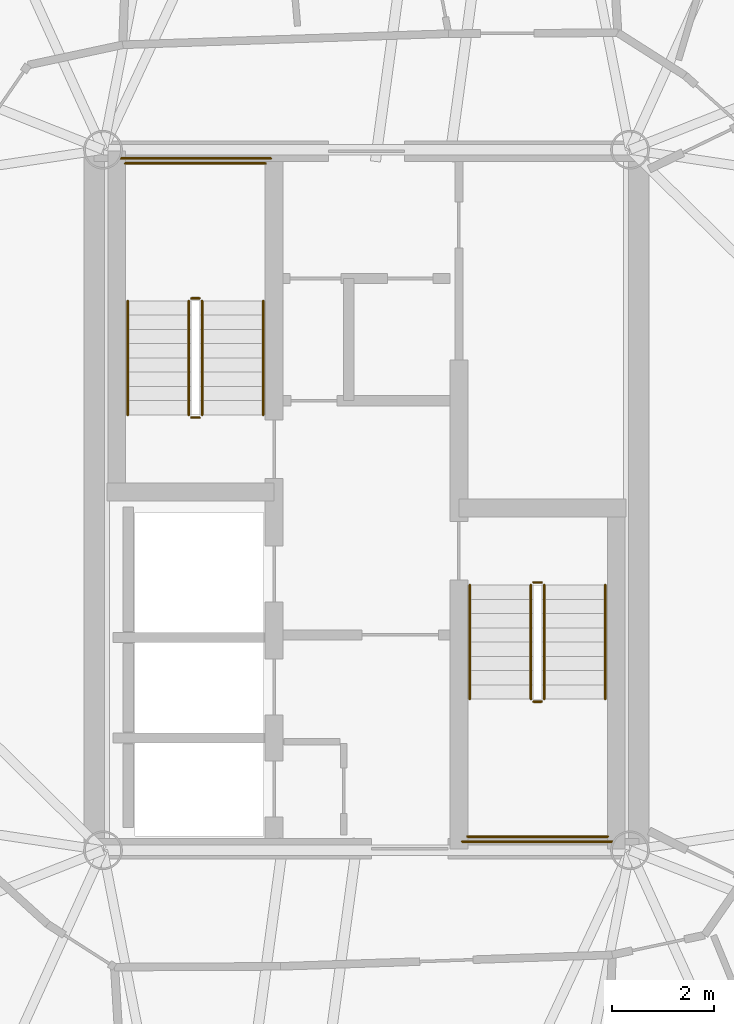
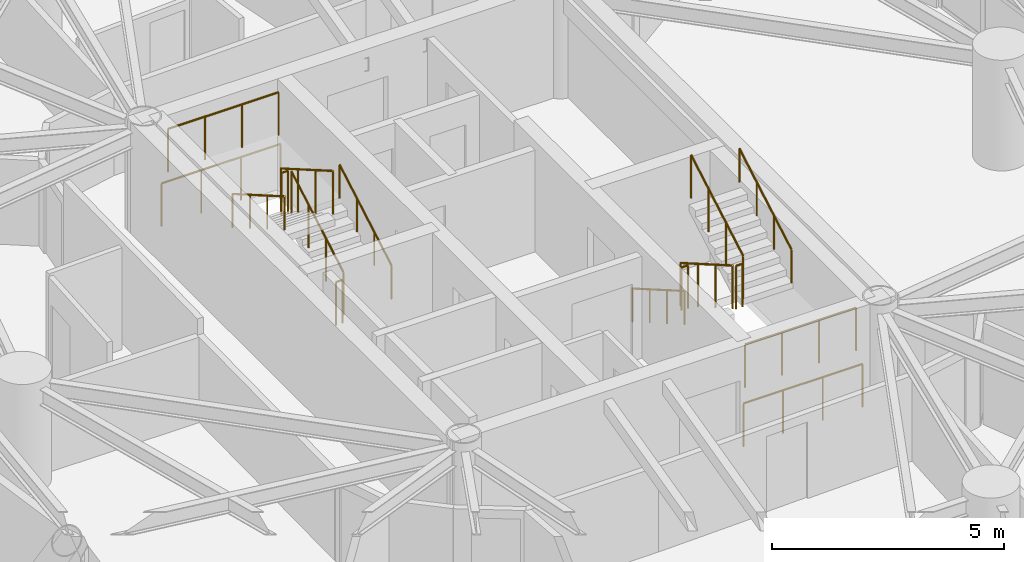
# One storey, part 17 of 18: 16 railings.
"""IFC4 building model written with IfcOpenShell, lengths in metres."""

from ifc_helpers import new_model, si_unit, direction, frame, origin, origin_2d, place, context, subcontext, project, spatial, circle, extrude, material, type_object, element, save


model = new_model("IFC4")

# Units and contexts
model_context = context("Model", 3, precision=1e-05, world=origin(), true_north=direction((0.0, 1.0)))
body_context = subcontext(model_context, "Body", "Model", "MODEL_VIEW")
ifc_project = project(units=[si_unit("LENGTHUNIT", "METRE"), si_unit("AREAUNIT", "SQUARE_METRE"), si_unit("VOLUMEUNIT", "CUBIC_METRE"), si_unit("PLANEANGLEUNIT", "RADIAN"), si_unit("MASSUNIT", "GRAM", prefix="KILO")], contexts=[model_context])

# Site, building, storey
site_placement = place(None, origin())
site = spatial("IfcSite", under=ifc_project, at=site_placement, CompositionType="ELEMENT")
building_placement = place(site_placement, origin())
building = spatial("IfcBuilding", under=site, at=building_placement, Name="Cununo Teusaquillo Station Towers", CompositionType="ELEMENT")
storey_placement = place(building_placement, frame((0.0, 0.0, 157.419921875)))
storey = spatial("IfcBuildingStorey", under=building, at=storey_placement, Name="L49", CompositionType="ELEMENT", Elevation=157.419921875)

# Railings
ifc_material_1 = material(Name="Steel EN 10025-2 S355J2", Category="steel")
railing_type_1 = type_object("IfcRailingType", Name="RL-INT-GUARD", PredefinedType="GUARDRAIL", material=ifc_material_1)
railing_1_placement = place(storey_placement, frame((13.27001953125, 26.169921875, 0.161865234375)))
element("IfcRailing", 1, at=railing_1_placement, inside=storey, type_object=railing_type_1, Name="L49 ST-T1-1 stair guard 1", PredefinedType="GUARDRAIL", context=body_context, shape_type="SweptSolid", body=[
    extrude(circle(Radius=0.02392578125, at=origin_2d()), frame((0.0, 0.0, 1.1259765625), z_axis=(0.0, 0.866033117094, 0.499986639918), x_axis=(-1.0, 0.0, 0.0)), (0.0, 0.0, 1.0), 2.58642578125),
    extrude(circle(Radius=0.02099609375, at=origin_2d()), origin(), (0.0, 0.0, 1.0), 1.101806640625),
    extrude(circle(Radius=0.02099609375, at=origin_2d()), frame((0.0, 0.74658203125, 0.43115234375)), (0.0, 0.0, 1.0), 1.101806640625),
    extrude(circle(Radius=0.02099609375, at=origin_2d()), frame((0.0, 1.493408203125, 0.862060546875)), (0.0, 0.0, 1.0), 1.101806640625),
    extrude(circle(Radius=0.02099609375, at=origin_2d()), frame((0.0, 2.239990234375, 1.293212890625)), (0.0, 0.0, 1.0), 1.101806640625),
])
railing_2_placement = place(storey_placement, frame((13.219970703125, 28.4599609375, 1.455078125)))
element("IfcRailing", 2, at=railing_2_placement, inside=storey, type_object=railing_type_1, Name="L49 ST-T1-1 stair guard 2", PredefinedType="GUARDRAIL", context=body_context, shape_type="SweptSolid", body=[
    extrude(circle(Radius=0.02392578125, at=origin_2d()), frame((0.0, 0.0, 1.1259765625), z_axis=(-1.0, 0.0, 0.0), x_axis=(0.0, -1.0, 0.0)), (0.0, 0.0, 1.0), 0.159912109375),
    extrude(circle(Radius=0.02099609375, at=origin_2d()), origin(), (0.0, 0.0, 1.0), 1.101806640625),
    extrude(circle(Radius=0.02099609375, at=origin_2d()), frame((-0.159912109375, 0.0, 0.0)), (0.0, 0.0, 1.0), 1.101806640625),
])
railing_3_placement = place(storey_placement, frame((14.52001953125, 31.110107421875, 1.455078125)))
element("IfcRailing", 3, at=railing_3_placement, inside=storey, type_object=railing_type_1, Name="L49 ST-T1-1 stair guard 3", PredefinedType="GUARDRAIL", context=body_context, shape_type="SweptSolid", body=[
    extrude(circle(Radius=0.02392578125, at=origin_2d()), frame((0.0, 0.0, 1.1259765625), z_axis=(-1.0, 0.0, 0.0), x_axis=(0.0, -1.0, 0.0)), (0.0, 0.0, 1.0), 2.760009765625),
    extrude(circle(Radius=0.02099609375, at=origin_2d()), origin(), (0.0, 0.0, 1.0), 1.101806640625),
    extrude(circle(Radius=0.02099609375, at=origin_2d()), frame((-0.919921875, 0.0, 0.0)), (0.0, 0.0, 1.0), 1.101806640625),
    extrude(circle(Radius=0.02099609375, at=origin_2d()), frame((-1.840087890625, 0.0, 0.0)), (0.0, 0.0, 1.0), 1.101806640625),
    extrude(circle(Radius=0.02099609375, at=origin_2d()), frame((-2.760009765625, 0.0, 0.0)), (0.0, 0.0, 1.0), 1.101806640625),
])
railing_4_placement = place(storey_placement, frame((13.010009765625, 28.409912109375, 1.61669921875)))
element("IfcRailing", 4, at=railing_4_placement, inside=storey, type_object=railing_type_1, Name="L49 ST-T1-1 stair guard 4", PredefinedType="GUARDRAIL", context=body_context, shape_type="SweptSolid", body=[
    extrude(circle(Radius=0.02392578125, at=origin_2d()), frame((0.0, 0.0, 1.1259765625), z_axis=(0.0, -0.865992244559, 0.500057429065), x_axis=(1.0, 0.0, 0.0)), (0.0, 0.0, 1.0), 2.586669921875),
    extrude(circle(Radius=0.02099609375, at=origin_2d()), origin(), (0.0, 0.0, 1.0), 1.101806640625),
    extrude(circle(Radius=0.02099609375, at=origin_2d()), frame((0.0, -0.74658203125, 0.43115234375)), (0.0, 0.0, 1.0), 1.101806640625),
    extrude(circle(Radius=0.02099609375, at=origin_2d()), frame((0.0, -1.493408203125, 0.8623046875)), (0.0, 0.0, 1.0), 1.101806640625),
    extrude(circle(Radius=0.02099609375, at=origin_2d()), frame((0.0, -2.239990234375, 1.29345703125)), (0.0, 0.0, 1.0), 1.101806640625),
])
railing_5_placement = place(storey_placement, frame((13.219970703125, 26.1201171875, 0.0)))
element("IfcRailing", 5, at=railing_5_placement, inside=storey, type_object=railing_type_1, Name="L49 ST-T1-1 stair guard 5", PredefinedType="GUARDRAIL", context=body_context, shape_type="SweptSolid", body=[
    extrude(circle(Radius=0.02392578125, at=origin_2d()), frame((0.0, 0.0, 1.1259765625), z_axis=(-1.0, 0.0, 0.0), x_axis=(0.0, -1.0, 0.0)), (0.0, 0.0, 1.0), 0.159912109375),
    extrude(circle(Radius=0.02099609375, at=origin_2d()), origin(), (0.0, 0.0, 1.0), 1.101806640625),
    extrude(circle(Radius=0.02099609375, at=origin_2d()), frame((-0.159912109375, 0.0, 0.0)), (0.0, 0.0, 1.0), 1.101806640625),
])
railing_6_placement = place(storey_placement, frame((14.6201171875, 31.2099609375, 0.0)))
element("IfcRailing", 6, at=railing_6_placement, inside=storey, type_object=railing_type_1, Name="L49 ST-T1-1 stair guard 6", PredefinedType="GUARDRAIL", context=body_context, shape_type="SweptSolid", body=[
    extrude(circle(Radius=0.02392578125, at=origin_2d()), frame((0.0, 0.0, 1.1259765625), z_axis=(-1.0, 0.0, 0.0), x_axis=(0.0, -1.0, 0.0)), (0.0, 0.0, 1.0), 2.960205078125),
    extrude(circle(Radius=0.02099609375, at=origin_2d()), origin(), (0.0, 0.0, 1.0), 1.101806640625),
    extrude(circle(Radius=0.02099609375, at=origin_2d()), frame((-0.98681640625, 0.0, 0.0)), (0.0, 0.0, 1.0), 1.101806640625),
    extrude(circle(Radius=0.02099609375, at=origin_2d()), frame((-1.973388671875, 0.0, 0.0)), (0.0, 0.0, 1.0), 1.101806640625),
    extrude(circle(Radius=0.02099609375, at=origin_2d()), frame((-2.960205078125, 0.0, 0.0)), (0.0, 0.0, 1.0), 1.101806640625),
])
railing_7_placement = place(storey_placement, frame((19.72998046875, 22.830078125, 0.161865234375)))
element("IfcRailing", 7, at=railing_7_placement, inside=storey, type_object=railing_type_1, Name="L49 ST-T1-2 stair guard 1", PredefinedType="GUARDRAIL", context=body_context, shape_type="SweptSolid", body=[
    extrude(circle(Radius=0.02392578125, at=origin_2d()), frame((0.0, 0.0, 1.1259765625), z_axis=(0.0, -0.866033117094, 0.499986639918), x_axis=(1.0, 0.0, 0.0)), (0.0, 0.0, 1.0), 2.58642578125),
    extrude(circle(Radius=0.02099609375, at=origin_2d()), origin(), (0.0, 0.0, 1.0), 1.101806640625),
    extrude(circle(Radius=0.02099609375, at=origin_2d()), frame((0.0, -0.74658203125, 0.43115234375)), (0.0, 0.0, 1.0), 1.101806640625),
    extrude(circle(Radius=0.02099609375, at=origin_2d()), frame((0.0, -1.493408203125, 0.862060546875)), (0.0, 0.0, 1.0), 1.101806640625),
    extrude(circle(Radius=0.02099609375, at=origin_2d()), frame((0.0, -2.239990234375, 1.293212890625)), (0.0, 0.0, 1.0), 1.101806640625),
])
railing_8_placement = place(storey_placement, frame((19.780029296875, 20.5400390625, 1.455078125)))
element("IfcRailing", 8, at=railing_8_placement, inside=storey, type_object=railing_type_1, Name="L49 ST-T1-2 stair guard 2", PredefinedType="GUARDRAIL", context=body_context, shape_type="SweptSolid", body=[
    extrude(circle(Radius=0.02392578125, at=origin_2d()), frame((0.0, 0.0, 1.1259765625), z_axis=(1.0, 0.0, 0.0), x_axis=(0.0, 1.0, 0.0)), (0.0, 0.0, 1.0), 0.159912109375),
    extrude(circle(Radius=0.02099609375, at=origin_2d()), origin(), (0.0, 0.0, 1.0), 1.101806640625),
    extrude(circle(Radius=0.02099609375, at=origin_2d()), frame((0.159912109375, 0.0, 0.0)), (0.0, 0.0, 1.0), 1.101806640625),
])
railing_9_placement = place(storey_placement, frame((18.47998046875, 17.889892578125, 1.455078125)))
element("IfcRailing", 9, at=railing_9_placement, inside=storey, type_object=railing_type_1, Name="L49 ST-T1-2 stair guard 3", PredefinedType="GUARDRAIL", context=body_context, shape_type="SweptSolid", body=[
    extrude(circle(Radius=0.02392578125, at=origin_2d()), frame((0.0, 0.0, 1.1259765625), z_axis=(1.0, 0.0, 0.0), x_axis=(0.0, 1.0, 0.0)), (0.0, 0.0, 1.0), 2.760009765625),
    extrude(circle(Radius=0.02099609375, at=origin_2d()), origin(), (0.0, 0.0, 1.0), 1.101806640625),
    extrude(circle(Radius=0.02099609375, at=origin_2d()), frame((0.919921875, 0.0, 0.0)), (0.0, 0.0, 1.0), 1.101806640625),
    extrude(circle(Radius=0.02099609375, at=origin_2d()), frame((1.840087890625, 0.0, 0.0)), (0.0, 0.0, 1.0), 1.101806640625),
    extrude(circle(Radius=0.02099609375, at=origin_2d()), frame((2.760009765625, 0.0, 0.0)), (0.0, 0.0, 1.0), 1.101806640625),
])
railing_10_placement = place(storey_placement, frame((19.989990234375, 20.590087890625, 1.61669921875)))
element("IfcRailing", 10, at=railing_10_placement, inside=storey, type_object=railing_type_1, Name="L49 ST-T1-2 stair guard 4", PredefinedType="GUARDRAIL", context=body_context, shape_type="SweptSolid", body=[
    extrude(circle(Radius=0.02392578125, at=origin_2d()), frame((0.0, 0.0, 1.1259765625), z_axis=(0.0, 0.865992244559, 0.500057429065), x_axis=(-1.0, 0.0, 0.0)), (0.0, 0.0, 1.0), 2.586669921875),
    extrude(circle(Radius=0.02099609375, at=origin_2d()), origin(), (0.0, 0.0, 1.0), 1.101806640625),
    extrude(circle(Radius=0.02099609375, at=origin_2d()), frame((0.0, 0.74658203125, 0.43115234375)), (0.0, 0.0, 1.0), 1.101806640625),
    extrude(circle(Radius=0.02099609375, at=origin_2d()), frame((0.0, 1.493408203125, 0.8623046875)), (0.0, 0.0, 1.0), 1.101806640625),
    extrude(circle(Radius=0.02099609375, at=origin_2d()), frame((0.0, 2.239990234375, 1.29345703125)), (0.0, 0.0, 1.0), 1.101806640625),
])
railing_11_placement = place(storey_placement, frame((19.780029296875, 22.8798828125, 0.0)))
element("IfcRailing", 11, at=railing_11_placement, inside=storey, type_object=railing_type_1, Name="L49 ST-T1-2 stair guard 5", PredefinedType="GUARDRAIL", context=body_context, shape_type="SweptSolid", body=[
    extrude(circle(Radius=0.02392578125, at=origin_2d()), frame((0.0, 0.0, 1.1259765625), z_axis=(1.0, 0.0, 0.0), x_axis=(0.0, 1.0, 0.0)), (0.0, 0.0, 1.0), 0.159912109375),
    extrude(circle(Radius=0.02099609375, at=origin_2d()), origin(), (0.0, 0.0, 1.0), 1.101806640625),
    extrude(circle(Radius=0.02099609375, at=origin_2d()), frame((0.159912109375, 0.0, 0.0)), (0.0, 0.0, 1.0), 1.101806640625),
])
railing_12_placement = place(storey_placement, frame((18.3798828125, 17.7900390625, 0.0)))
element("IfcRailing", 12, at=railing_12_placement, inside=storey, type_object=railing_type_1, Name="L49 ST-T1-2 stair guard 6", PredefinedType="GUARDRAIL", context=body_context, shape_type="SweptSolid", body=[
    extrude(circle(Radius=0.02392578125, at=origin_2d()), frame((0.0, 0.0, 1.1259765625), z_axis=(1.0, 0.0, 0.0), x_axis=(0.0, 1.0, 0.0)), (0.0, 0.0, 1.0), 2.960205078125),
    extrude(circle(Radius=0.02099609375, at=origin_2d()), origin(), (0.0, 0.0, 1.0), 1.101806640625),
    extrude(circle(Radius=0.02099609375, at=origin_2d()), frame((0.98681640625, 0.0, 0.0)), (0.0, 0.0, 1.0), 1.101806640625),
    extrude(circle(Radius=0.02099609375, at=origin_2d()), frame((1.973388671875, 0.0, 0.0)), (0.0, 0.0, 1.0), 1.101806640625),
    extrude(circle(Radius=0.02099609375, at=origin_2d()), frame((2.960205078125, 0.0, 0.0)), (0.0, 0.0, 1.0), 1.101806640625),
])
ifc_material_2 = material(Name="Steel EN 10025-2 S355J2", Category="steel")
railing_type_2 = type_object("IfcRailingType", Name="RL-INT-HRAIL", PredefinedType="HANDRAIL", material=ifc_material_2)
railing_13_placement = place(storey_placement, frame((14.469970703125, 26.169921875, 0.161865234375)))
element("IfcRailing", 13, at=railing_13_placement, inside=storey, type_object=railing_type_2, Name="L49 ST-T1-1 stair handrail 1", PredefinedType="HANDRAIL", context=body_context, shape_type="SweptSolid", body=[
    extrude(circle(Radius=0.02392578125, at=origin_2d()), frame((0.0, 0.0, 0.8759765625), z_axis=(0.0, 0.866033117094, 0.499986639918), x_axis=(-1.0, 0.0, 0.0)), (0.0, 0.0, 1.0), 2.58642578125),
    extrude(circle(Radius=0.02099609375, at=origin_2d()), origin(), (0.0, 0.0, 1.0), 0.851806640625),
    extrude(circle(Radius=0.02099609375, at=origin_2d()), frame((0.0, 0.74658203125, 0.43115234375)), (0.0, 0.0, 1.0), 0.851806640625),
    extrude(circle(Radius=0.02099609375, at=origin_2d()), frame((0.0, 1.493408203125, 0.862060546875)), (0.0, 0.0, 1.0), 0.851806640625),
    extrude(circle(Radius=0.02099609375, at=origin_2d()), frame((0.0, 2.239990234375, 1.293212890625)), (0.0, 0.0, 1.0), 0.851806640625),
])
railing_14_placement = place(storey_placement, frame((11.81005859375, 28.409912109375, 1.61669921875)))
element("IfcRailing", 14, at=railing_14_placement, inside=storey, type_object=railing_type_2, Name="L49 ST-T1-1 stair handrail 2", PredefinedType="HANDRAIL", context=body_context, shape_type="SweptSolid", body=[
    extrude(circle(Radius=0.02392578125, at=origin_2d()), frame((0.0, 0.0, 0.8759765625), z_axis=(0.0, -0.865992244559, 0.500057429065), x_axis=(1.0, 0.0, 0.0)), (0.0, 0.0, 1.0), 2.586669921875),
    extrude(circle(Radius=0.02099609375, at=origin_2d()), origin(), (0.0, 0.0, 1.0), 0.851806640625),
    extrude(circle(Radius=0.02099609375, at=origin_2d()), frame((0.0, -0.74658203125, 0.43115234375)), (0.0, 0.0, 1.0), 0.851806640625),
    extrude(circle(Radius=0.02099609375, at=origin_2d()), frame((0.0, -1.493408203125, 0.8623046875)), (0.0, 0.0, 1.0), 0.851806640625),
    extrude(circle(Radius=0.02099609375, at=origin_2d()), frame((0.0, -2.239990234375, 1.29345703125)), (0.0, 0.0, 1.0), 0.851806640625),
])
railing_15_placement = place(storey_placement, frame((18.530029296875, 22.830078125, 0.161865234375)))
element("IfcRailing", 15, at=railing_15_placement, inside=storey, type_object=railing_type_2, Name="L49 ST-T1-2 stair handrail 1", PredefinedType="HANDRAIL", context=body_context, shape_type="SweptSolid", body=[
    extrude(circle(Radius=0.02392578125, at=origin_2d()), frame((0.0, 0.0, 0.8759765625), z_axis=(0.0, -0.866033117094, 0.499986639918), x_axis=(1.0, 0.0, 0.0)), (0.0, 0.0, 1.0), 2.58642578125),
    extrude(circle(Radius=0.02099609375, at=origin_2d()), origin(), (0.0, 0.0, 1.0), 0.851806640625),
    extrude(circle(Radius=0.02099609375, at=origin_2d()), frame((0.0, -0.74658203125, 0.43115234375)), (0.0, 0.0, 1.0), 0.851806640625),
    extrude(circle(Radius=0.02099609375, at=origin_2d()), frame((0.0, -1.493408203125, 0.862060546875)), (0.0, 0.0, 1.0), 0.851806640625),
    extrude(circle(Radius=0.02099609375, at=origin_2d()), frame((0.0, -2.239990234375, 1.293212890625)), (0.0, 0.0, 1.0), 0.851806640625),
])
railing_16_placement = place(storey_placement, frame((21.18994140625, 20.590087890625, 1.61669921875)))
element("IfcRailing", 16, at=railing_16_placement, inside=storey, type_object=railing_type_2, Name="L49 ST-T1-2 stair handrail 2", PredefinedType="HANDRAIL", context=body_context, shape_type="SweptSolid", body=[
    extrude(circle(Radius=0.02392578125, at=origin_2d()), frame((0.0, 0.0, 0.8759765625), z_axis=(0.0, 0.865992244559, 0.500057429065), x_axis=(-1.0, 0.0, 0.0)), (0.0, 0.0, 1.0), 2.586669921875),
    extrude(circle(Radius=0.02099609375, at=origin_2d()), origin(), (0.0, 0.0, 1.0), 0.851806640625),
    extrude(circle(Radius=0.02099609375, at=origin_2d()), frame((0.0, 0.74658203125, 0.43115234375)), (0.0, 0.0, 1.0), 0.851806640625),
    extrude(circle(Radius=0.02099609375, at=origin_2d()), frame((0.0, 1.493408203125, 0.8623046875)), (0.0, 0.0, 1.0), 0.851806640625),
    extrude(circle(Radius=0.02099609375, at=origin_2d()), frame((0.0, 2.239990234375, 1.29345703125)), (0.0, 0.0, 1.0), 0.851806640625),
])

save(model, "model.ifc")
